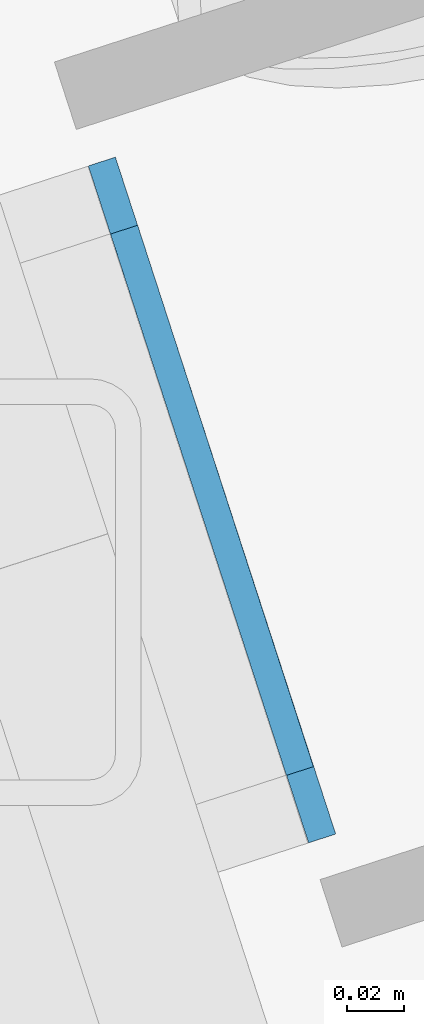
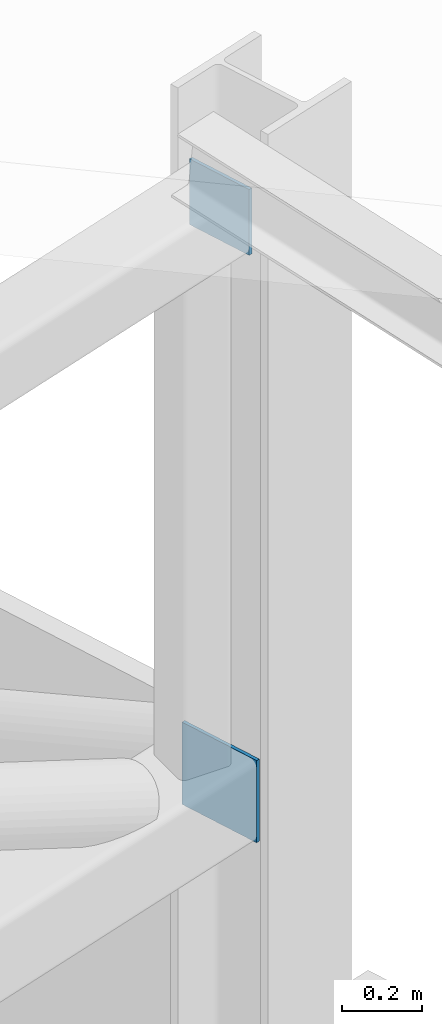
# One storey, part 40 of 49: 2 plates.
"""IFC4 building model written with IfcOpenShell, lengths in metres."""

import ifcopenshell
import ifcopenshell.guid

model = None  # the IFC model being written
_history = None  # IfcOwnerHistory: only IFC2X3 demands one
_inside = {}  # id of a spatial element -> (the spatial element, [elements in it])
_under = {}  # id of a project, library or spatial element -> (it, [spatial elements below it])
_declared = {}  # id of a project -> (the project, [libraries it declares])
_typed = {}  # id of a type object -> (the type object, [elements of that type])
_made_of = {}  # id of a material, layer set ... -> (it, [elements and type objects made of it])


def new_model(schema):
    """Start an empty IFC model of exactly this schema.

    Asked for "IFC4X3", IfcOpenShell would pick the latest addendum, in which some entities
    have other attributes; the version numbers below select the first issue.
    IFC2X3 requires an IfcOwnerHistory on every rooted entity: one is made here for all.
    """
    global model, _history
    if schema == "IFC4X3":
        model = ifcopenshell.file(schema_version=(4, 3, 0, 0))
    else:
        model = ifcopenshell.file(schema=schema)
    _inside.clear()
    _under.clear()
    _declared.clear()
    _typed.clear()
    _made_of.clear()
    _history = None
    if model.schema == "IFC2X3":
        org = make("IfcOrganization", Name="unknown")
        user = make(
            "IfcPersonAndOrganization",
            ThePerson=make("IfcPerson", FamilyName="unknown"),
            TheOrganization=org,
        )
        app = make(
            "IfcApplication",
            ApplicationDeveloper=org,
            Version="unknown",
            ApplicationFullName="unknown",
            ApplicationIdentifier="unknown",
        )
        _history = make(
            "IfcOwnerHistory",
            OwningUser=user,
            OwningApplication=app,
            ChangeAction="ADDED",
            CreationDate=0,
        )
    return model


def make(cls, **values):
    """One entity of the class cls with the attributes given. An attribute that is None is left unset."""
    return model.create_entity(
        cls, **{name: value for name, value in values.items() if value is not None}
    )


def rooted(cls, **values):
    """An entity with a GlobalId (a new one), such as an element, a storey or a relation."""
    return make(cls, GlobalId=ifcopenshell.guid.new(), OwnerHistory=_history, **values)


def si_unit(unit_type, name, prefix=None):
    """IfcSIUnit, for example si_unit("LENGTHUNIT", "METRE", prefix="MILLI")."""
    return make("IfcSIUnit", UnitType=unit_type, Prefix=prefix, Name=name)


def assignment(units):
    """IfcUnitAssignment: the units of a project."""
    return None if units is None else make("IfcUnitAssignment", Units=units)


def point(xyz):
    """IfcCartesianPoint."""
    return None if xyz is None else make("IfcCartesianPoint", Coordinates=xyz)


def direction(xyz):
    """IfcDirection."""
    return None if xyz is None else make("IfcDirection", DirectionRatios=xyz)


def frame(location, z_axis=None, x_axis=None):
    """IfcAxis2Placement3D, a coordinate frame: its origin and axes. An axis left out is left unset."""
    return make(
        "IfcAxis2Placement3D",
        Location=point(location),
        Axis=direction(z_axis),
        RefDirection=direction(x_axis),
    )


def origin():
    """The frame at (0, 0, 0) with its axes left unset."""
    return frame((0.0, 0.0, 0.0))


def place(relative_to, where):
    """IfcLocalPlacement: puts the frame where relative to a parent placement (None: the world)."""
    return make(
        "IfcLocalPlacement", PlacementRelTo=relative_to, RelativePlacement=where
    )


def context(
    kind, dimensions, precision=None, world=None, true_north=None, identifier=None
):
    """IfcGeometricRepresentationContext, for example the 3D "Model" context."""
    return make(
        "IfcGeometricRepresentationContext",
        ContextIdentifier=identifier,
        ContextType=kind,
        CoordinateSpaceDimension=dimensions,
        Precision=precision,
        WorldCoordinateSystem=world,
        TrueNorth=true_north,
    )


def subcontext(parent, identifier, kind, view, scale=None):
    """IfcGeometricRepresentationSubContext, for example "Body" below "Model"."""
    return make(
        "IfcGeometricRepresentationSubContext",
        ContextIdentifier=identifier,
        ContextType=kind,
        ParentContext=parent,
        TargetScale=scale,
        TargetView=view,
    )


def project(units=None, contexts=None):
    """IfcProject with its units and contexts."""
    return rooted(
        "IfcProject",
        Name="project",
        RepresentationContexts=contexts,
        UnitsInContext=assignment(units),
    )


def spatial(cls, under=None, at=None, **own):
    """A site, building, storey or space (cls), placed at a placement, below another one or the project."""
    s = rooted(cls, ObjectPlacement=at, **own)
    if under is not None:
        _under.setdefault(under.id(), (under, []))[1].append(s)
    return s


def polyline(points):
    """IfcPolyline through the points."""
    return make("IfcPolyline", Points=[point(p) for p in points])


def outline(outer, holes=None, kind="AREA"):
    """IfcArbitraryClosedProfileDef: a profile drawn as a closed curve; with holes, ...WithVoids."""
    if holes is None:
        return make("IfcArbitraryClosedProfileDef", ProfileType=kind, OuterCurve=outer)
    return make(
        "IfcArbitraryProfileDefWithVoids",
        ProfileType=kind,
        OuterCurve=outer,
        InnerCurves=holes,
    )


def extrude(swept, where, along, depth):
    """IfcExtrudedAreaSolid: the profile swept, set in the frame where, extruded along a direction by depth."""
    return make(
        "IfcExtrudedAreaSolid",
        SweptArea=swept,
        Position=where,
        ExtrudedDirection=direction(along),
        Depth=depth,
    )


def shape(context_of_items, identifier, shape_type, items):
    """IfcShapeRepresentation: the items that make up one representation, for example the "Body"."""
    return make(
        "IfcShapeRepresentation",
        ContextOfItems=context_of_items,
        RepresentationIdentifier=identifier,
        RepresentationType=shape_type,
        Items=items,
    )


def material(Name=None, Category=None):
    """IfcMaterial."""
    return make("IfcMaterial", Name=Name, Category=Category)


def layer(
    of_material, thickness, ventilated=None, Name=None, Category=None, Priority=None
):
    """IfcMaterialLayer: one layer of a wall or slab, of a material (None: an air gap)."""
    return make(
        "IfcMaterialLayer",
        Material=of_material,
        LayerThickness=thickness,
        IsVentilated=ventilated,
        Name=Name,
        Category=Category,
        Priority=Priority,
    )


def layer_set(layers, Name=None):
    """IfcMaterialLayerSet."""
    return make("IfcMaterialLayerSet", MaterialLayers=layers, LayerSetName=Name)


def made_of(thing, what):
    """Note that an element or type object is made of a material, layer set ...; save() writes the relation."""
    if what is not None:
        _made_of.setdefault(what.id(), (what, []))[1].append(thing)
    return thing


def type_object(cls, material=None, **own):
    """A type object (cls), such as IfcWallType, which elements share."""
    return made_of(rooted(cls, **own), material)


def element(
    cls,
    number,
    at=None,
    inside=None,
    cuts=None,
    type_object=None,
    material=None,
    context=None,
    identifier="Body",
    shape_type=None,
    held_by="IfcProductDefinitionShape",
    body=None,
    shapes=None,
    **own,
):
    """One element of the class cls, such as IfcWall. Its Tag is "e" and its number.

    at: its placement. inside: the storey or other place that contains it. cuts: it is an
    opening in that element (IfcRelVoidsElement). A single representation is given by context,
    identifier, shape_type and body (its items); several are given by shapes. held_by: the class
    of the entity that holds the representations. save() writes the other relations.
    """
    e = rooted(cls, Tag="e%d" % number, ObjectPlacement=at, **own)
    if body is not None:
        shapes = [shape(context, identifier, shape_type, body)]
    if shapes is not None:
        e.Representation = make(held_by, Representations=shapes)
    if inside is not None:
        _inside.setdefault(inside.id(), (inside, []))[1].append(e)
    if cuts is not None:
        rooted(
            "IfcRelVoidsElement", RelatingBuildingElement=cuts, RelatedOpeningElement=e
        )
    if type_object is not None:
        _typed.setdefault(type_object.id(), (type_object, []))[1].append(e)
    return made_of(e, material)


def aggregate(whole, parts):
    """IfcRelAggregates: a whole, such as a stair, and the parts it consists of."""
    return rooted("IfcRelAggregates", RelatingObject=whole, RelatedObjects=parts)


def save(model, path):
    """Write the relations noted so far, then the file.

    IfcRelAggregates (storeys below a building ...), IfcRelContainedInSpatialStructure (elements
    in a storey), IfcRelDefinesByType, IfcRelAssociatesMaterial and IfcRelDeclares: one each for
    every whole, place, type object, material and project.
    """
    for whole, parts in _under.values():
        aggregate(whole, parts)
    for where, things in _inside.values():
        rooted(
            "IfcRelContainedInSpatialStructure",
            RelatedElements=things,
            RelatingStructure=where,
        )
    for kind, things in _typed.values():
        rooted("IfcRelDefinesByType", RelatedObjects=things, RelatingType=kind)
    for what, things in _made_of.values():
        rooted("IfcRelAssociatesMaterial", RelatedObjects=things, RelatingMaterial=what)
    for by, libraries in _declared.values():
        rooted("IfcRelDeclares", RelatingContext=by, RelatedDefinitions=libraries)
    model.write(path)


model = new_model("IFC4")

# Units and contexts
model_context = context("Model", 3, precision=1e-05, world=origin(), true_north=direction((0.0, 1.0)))
body_context = subcontext(model_context, "Body", "Model", "MODEL_VIEW")
ifc_project = project(units=[si_unit("LENGTHUNIT", "METRE"), si_unit("AREAUNIT", "SQUARE_METRE"), si_unit("VOLUMEUNIT", "CUBIC_METRE"), si_unit("PLANEANGLEUNIT", "RADIAN"), si_unit("MASSUNIT", "GRAM", prefix="KILO")], contexts=[model_context])

# Site, building, storey
site_placement = place(None, origin())
site = spatial("IfcSite", under=ifc_project, at=site_placement, CompositionType="ELEMENT")
building_placement = place(site_placement, origin())
building = spatial("IfcBuilding", under=site, at=building_placement, Name="Tuart Plaza Theatre", CompositionType="ELEMENT")
storey_placement = place(building_placement, frame((0.0, 0.0, 29.5)))
storey = spatial("IfcBuildingStorey", under=building, at=storey_placement, Name="L07", CompositionType="ELEMENT", Elevation=29.5)

# Plates
ifc_material = material(Name="Steel Grade C350L0", Category="steel")
ifc_layer = layer(ifc_material, 0.010009765625)
ifc_layer_set = layer_set([ifc_layer], Name="PLATE End cap 10 Steel Grade C350L0")
plate_type = type_object("IfcPlateType", Name="PLATE End cap 10 Steel Grade C350L0", PredefinedType="SHEET", material=ifc_layer_set)
plate_1_placement = place(storey_placement, frame((67.237060546875, 82.3251953125, 2.050048828125), z_axis=(0.95090484413, 0.309483404096, 0.0), x_axis=(-0.309483404096, 0.95090484413, 0.0)))
element("IfcPlate", 1, at=plate_1_placement, inside=storey, type_object=plate_type, Name="EP18", PredefinedType="SHEET", context=body_context, shape_type="SweptSolid", body=[
    extrude(outline(polyline([(0.0, 0.0), (0.25007020441422584, 0.0), (0.25007020441422584, 0.25), (0.0, 0.25), (0.0, 0.0)])), origin(), (0.0, 0.0, -1.0), 0.010009765625),
])
plate_2_placement = place(storey_placement, frame((67.229248046875, 82.348876953125, 3.824951171875), z_axis=(0.951096855055, 0.308892816854, 0.0), x_axis=(-0.308892816854, 0.951096855055, 0.0)))
element("IfcPlate", 2, at=plate_2_placement, inside=storey, type_object=plate_type, Name="EP20", PredefinedType="SHEET", context=body_context, shape_type="SweptSolid", body=[
    extrude(outline(polyline([(0.0, 0.0), (0.1999644367070575, 0.0), (0.1999644367070575, 0.199951171875), (0.0, 0.199951171875), (0.0, 0.0)])), origin(), (0.0, 0.0, -1.0), 0.010009765625),
])

save(model, "model.ifc")
